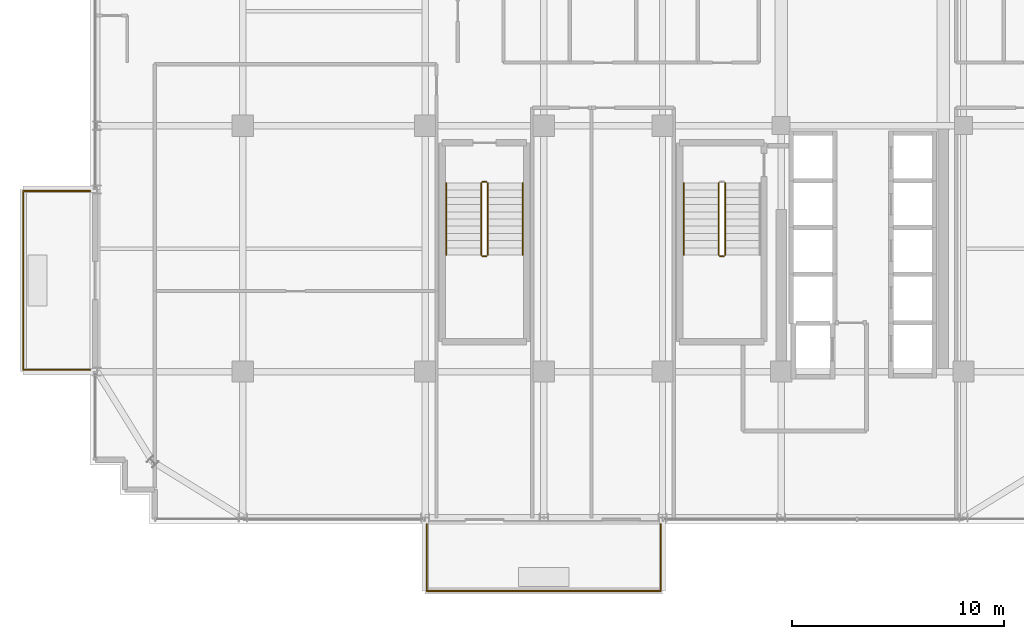
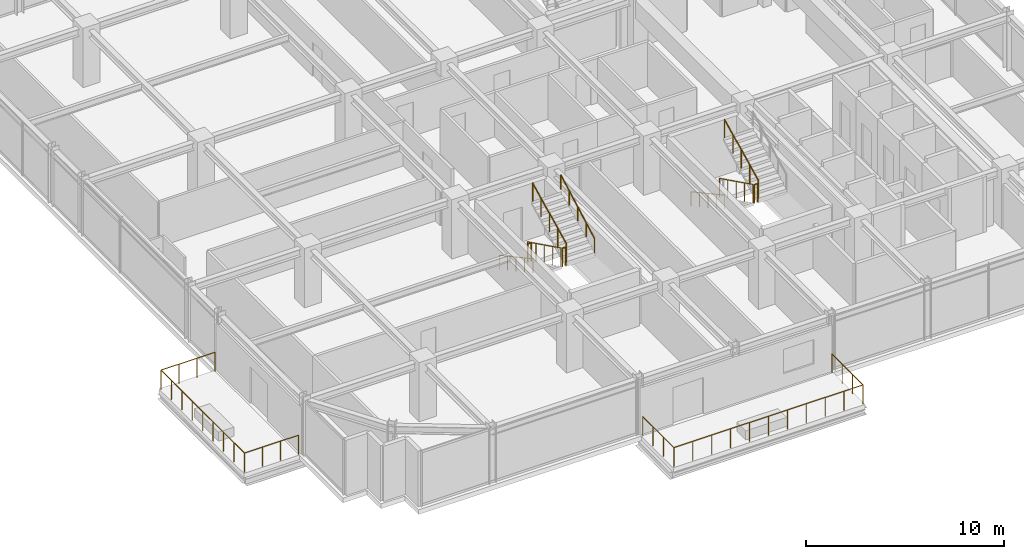
# One storey, part 30 of 32: 12 railings.
"""IFC4 building model written with IfcOpenShell, lengths in metres."""

from ifc_helpers import new_model, si_unit, direction, frame, origin, origin_2d, place, context, subcontext, project, spatial, circle, extrude, material, type_object, element, save


model = new_model("IFC4")

# Units and contexts
model_context = context("Model", 3, precision=1e-05, world=origin(), true_north=direction((0.0, 1.0)))
body_context = subcontext(model_context, "Body", "Model", "MODEL_VIEW")
ifc_project = project(units=[si_unit("LENGTHUNIT", "METRE"), si_unit("AREAUNIT", "SQUARE_METRE"), si_unit("VOLUMEUNIT", "CUBIC_METRE"), si_unit("PLANEANGLEUNIT", "RADIAN"), si_unit("MASSUNIT", "GRAM", prefix="KILO")], contexts=[model_context])

# Site, building, storey
site_placement = place(None, origin())
site = spatial("IfcSite", under=ifc_project, at=site_placement, CompositionType="ELEMENT")
building_placement = place(site_placement, origin())
building = spatial("IfcBuilding", under=site, at=building_placement, Name="Nahalor Promenade Grand Hotel", CompositionType="ELEMENT")
storey_placement = place(building_placement, frame((0.0, 0.0, 230.800048828125)))
storey = spatial("IfcBuildingStorey", under=building, at=storey_placement, Name="L59", CompositionType="ELEMENT", Elevation=230.800048828125)

# Railings
ifc_material_1 = material(Name="Anodised Bronze Aluminium EN AW-6063 T6", Category="aluminium")
railing_type_1 = type_object("IfcRailingType", Name="Bronze Balcony Guardrail 1200 mm", PredefinedType="GUARDRAIL", material=ifc_material_1)
railing_1_placement = place(storey_placement, frame((-8.320068359375, -24.199951171875, 0.0)))
element("IfcRailing", 1, at=railing_1_placement, inside=storey, type_object=railing_type_1, Name="L59 Balcony Guardrail 1", PredefinedType="GUARDRAIL", context=body_context, shape_type="SweptSolid", body=[
    extrude(circle(Radius=0.024048, at=origin_2d()), frame((0.0, 0.0, 1.17578125), z_axis=(0.0, -1.0, 0.0), x_axis=(1.0, 0.0, 0.0)), (0.0, 0.0, 1.0), 3.148193359375),
    extrude(circle(Radius=0.024048, at=origin_2d()), frame((0.001953125, -3.150146484375, 1.17578125), z_axis=(1.0, 0.0, 0.0), x_axis=(0.0, 1.0, 0.0)), (0.0, 0.0, 1.0), 11.0361328125),
    extrude(circle(Radius=0.024048, at=origin_2d()), frame((11.0400390625, -3.148193359375, 1.17578125), z_axis=(0.0, 1.0, 0.0), x_axis=(-1.0, 0.0, 0.0)), (0.0, 0.0, 1.0), 3.148193359375),
    extrude(circle(Radius=0.020996, at=origin_2d()), origin(), (0.0, 0.0, 1.0), 1.14990234375),
    extrude(circle(Radius=0.020996, at=origin_2d()), frame((0.0, -1.050048828125, 0.0)), (0.0, 0.0, 1.0), 1.14990234375),
    extrude(circle(Radius=0.020996, at=origin_2d()), frame((0.0, -2.10009765625, 0.0)), (0.0, 0.0, 1.0), 1.14990234375),
    extrude(circle(Radius=0.020996, at=origin_2d()), frame((0.0, -3.150146484375, 0.0)), (0.0, 0.0, 1.0), 1.14990234375),
    extrude(circle(Radius=0.020996, at=origin_2d()), frame((1.10400390625, -3.150146484375, 0.0)), (0.0, 0.0, 1.0), 1.14990234375),
    extrude(circle(Radius=0.020996, at=origin_2d()), frame((2.2080078125, -3.150146484375, 0.0)), (0.0, 0.0, 1.0), 1.14990234375),
    extrude(circle(Radius=0.020996, at=origin_2d()), frame((3.31201171875, -3.150146484375, 0.0)), (0.0, 0.0, 1.0), 1.14990234375),
    extrude(circle(Radius=0.020996, at=origin_2d()), frame((4.416015625, -3.150146484375, 0.0)), (0.0, 0.0, 1.0), 1.14990234375),
    extrude(circle(Radius=0.020996, at=origin_2d()), frame((5.52001953125, -3.150146484375, 0.0)), (0.0, 0.0, 1.0), 1.14990234375),
    extrude(circle(Radius=0.020996, at=origin_2d()), frame((6.6240234375, -3.150146484375, 0.0)), (0.0, 0.0, 1.0), 1.14990234375),
    extrude(circle(Radius=0.020996, at=origin_2d()), frame((7.72802734375, -3.150146484375, 0.0)), (0.0, 0.0, 1.0), 1.14990234375),
    extrude(circle(Radius=0.020996, at=origin_2d()), frame((8.83203125, -3.150146484375, 0.0)), (0.0, 0.0, 1.0), 1.14990234375),
    extrude(circle(Radius=0.020996, at=origin_2d()), frame((9.93603515625, -3.150146484375, 0.0)), (0.0, 0.0, 1.0), 1.14990234375),
    extrude(circle(Radius=0.020996, at=origin_2d()), frame((11.0400390625, -3.150146484375, 0.0)), (0.0, 0.0, 1.0), 1.14990234375),
    extrude(circle(Radius=0.020996, at=origin_2d()), frame((11.0400390625, -2.10009765625, 0.0)), (0.0, 0.0, 1.0), 1.14990234375),
    extrude(circle(Radius=0.020996, at=origin_2d()), frame((11.0400390625, -1.050048828125, 0.0)), (0.0, 0.0, 1.0), 1.14990234375),
    extrude(circle(Radius=0.020996, at=origin_2d()), frame((11.0400390625, 0.0, 0.0)), (0.0, 0.0, 1.0), 1.14990234375),
])
railing_2_placement = place(storey_placement, frame((-24.199951171875, -16.919921875, 0.0)))
element("IfcRailing", 2, at=railing_2_placement, inside=storey, type_object=railing_type_1, Name="L59 Balcony Guardrail 2", PredefinedType="GUARDRAIL", context=body_context, shape_type="SweptSolid", body=[
    extrude(circle(Radius=0.024048, at=origin_2d()), frame((0.0, 0.0, 1.17578125), z_axis=(-1.0, 0.0, 0.0), x_axis=(0.0, -1.0, 0.0)), (0.0, 0.0, 1.0), 3.158203125),
    extrude(circle(Radius=0.024048, at=origin_2d()), frame((-3.16015625, 0.001953125, 1.17578125), z_axis=(0.0, 1.0, 0.0), x_axis=(-1.0, 0.0, 0.0)), (0.0, 0.0, 1.0), 8.43603515625),
    extrude(circle(Radius=0.024048, at=origin_2d()), frame((-3.158203125, 8.43994140625, 1.17578125), z_axis=(1.0, 0.0, 0.0), x_axis=(0.0, 1.0, 0.0)), (0.0, 0.0, 1.0), 3.158203125),
    extrude(circle(Radius=0.020996, at=origin_2d()), origin(), (0.0, 0.0, 1.0), 1.14990234375),
    extrude(circle(Radius=0.020996, at=origin_2d()), frame((-1.053466796875, 0.0, 0.0)), (0.0, 0.0, 1.0), 1.14990234375),
    extrude(circle(Radius=0.020996, at=origin_2d()), frame((-2.106689453125, 0.0, 0.0)), (0.0, 0.0, 1.0), 1.14990234375),
    extrude(circle(Radius=0.020996, at=origin_2d()), frame((-3.16015625, 0.0, 0.0)), (0.0, 0.0, 1.0), 1.14990234375),
    extrude(circle(Radius=0.020996, at=origin_2d()), frame((-3.16015625, 1.054931640625, 0.0)), (0.0, 0.0, 1.0), 1.14990234375),
    extrude(circle(Radius=0.020996, at=origin_2d()), frame((-3.16015625, 2.10986328125, 0.0)), (0.0, 0.0, 1.0), 1.14990234375),
    extrude(circle(Radius=0.020996, at=origin_2d()), frame((-3.16015625, 3.1650390625, 0.0)), (0.0, 0.0, 1.0), 1.14990234375),
    extrude(circle(Radius=0.020996, at=origin_2d()), frame((-3.16015625, 4.219970703125, 0.0)), (0.0, 0.0, 1.0), 1.14990234375),
    extrude(circle(Radius=0.020996, at=origin_2d()), frame((-3.16015625, 5.27490234375, 0.0)), (0.0, 0.0, 1.0), 1.14990234375),
    extrude(circle(Radius=0.020996, at=origin_2d()), frame((-3.16015625, 6.330078125, 0.0)), (0.0, 0.0, 1.0), 1.14990234375),
    extrude(circle(Radius=0.020996, at=origin_2d()), frame((-3.16015625, 7.385009765625, 0.0)), (0.0, 0.0, 1.0), 1.14990234375),
    extrude(circle(Radius=0.020996, at=origin_2d()), frame((-3.16015625, 8.43994140625, 0.0)), (0.0, 0.0, 1.0), 1.14990234375),
    extrude(circle(Radius=0.020996, at=origin_2d()), frame((-2.106689453125, 8.43994140625, 0.0)), (0.0, 0.0, 1.0), 1.14990234375),
    extrude(circle(Radius=0.020996, at=origin_2d()), frame((-1.053466796875, 8.43994140625, 0.0)), (0.0, 0.0, 1.0), 1.14990234375),
    extrude(circle(Radius=0.020996, at=origin_2d()), frame((0.0, 8.43994140625, 0.0)), (0.0, 0.0, 1.0), 1.14990234375),
])
ifc_material_2 = material(Name="Steel S355JR", Category="steel")
railing_type_2 = type_object("IfcRailingType", Name="Steel Stair Guardrail 1150 mm", PredefinedType="GUARDRAIL", material=ifc_material_2)
railing_3_placement = place(storey_placement, frame((5.449951171875, -8.10009765625, 0.168212890625)))
element("IfcRailing", 3, at=railing_3_placement, inside=storey, type_object=railing_type_2, Name="L59 ST2 stair guard 1", PredefinedType="GUARDRAIL", context=body_context, shape_type="SweptSolid", body=[
    extrude(circle(Radius=0.024048, at=origin_2d()), frame((0.0, 0.0, 1.1259765625), z_axis=(0.0, -0.896349809652, 0.44334751464), x_axis=(1.0, 0.0, 0.0)), (0.0, 0.0, 1.0), 3.79296875),
    extrude(circle(Radius=0.020996, at=origin_2d()), origin(), (0.0, 0.0, 1.0), 1.099853515625),
    extrude(circle(Radius=0.020996, at=origin_2d()), frame((0.0, -0.85009765625, 0.42041015625)), (0.0, 0.0, 1.0), 1.099853515625),
    extrude(circle(Radius=0.020996, at=origin_2d()), frame((0.0, -1.699951171875, 0.8408203125)), (0.0, 0.0, 1.0), 1.099853515625),
    extrude(circle(Radius=0.020996, at=origin_2d()), frame((0.0, -2.5498046875, 1.26123046875)), (0.0, 0.0, 1.0), 1.099853515625),
    extrude(circle(Radius=0.020996, at=origin_2d()), frame((0.0, -3.39990234375, 1.681640625)), (0.0, 0.0, 1.0), 1.099853515625),
])
railing_4_placement = place(storey_placement, frame((5.5, -11.550048828125, 1.849853515625)))
element("IfcRailing", 4, at=railing_4_placement, inside=storey, type_object=railing_type_2, Name="L59 ST2 stair guard 2", PredefinedType="GUARDRAIL", context=body_context, shape_type="SweptSolid", body=[
    extrude(circle(Radius=0.024048, at=origin_2d()), frame((0.0, 0.0, 1.1259765625), z_axis=(1.0, 0.0, 0.0), x_axis=(0.0, 1.0, 0.0)), (0.0, 0.0, 1.0), 0.199951171875),
    extrude(circle(Radius=0.020996, at=origin_2d()), origin(), (0.0, 0.0, 1.0), 1.099853515625),
    extrude(circle(Radius=0.020996, at=origin_2d()), frame((0.199951171875, 0.0, 0.0)), (0.0, 0.0, 1.0), 1.099853515625),
])
railing_5_placement = place(storey_placement, frame((5.75, -11.5, 2.01806640625)))
element("IfcRailing", 5, at=railing_5_placement, inside=storey, type_object=railing_type_2, Name="L59 ST2 stair guard 3", PredefinedType="GUARDRAIL", context=body_context, shape_type="SweptSolid", body=[
    extrude(circle(Radius=0.024048, at=origin_2d()), frame((0.0, 0.0, 1.1259765625), z_axis=(0.0, 0.896324230515, 0.443399226197), x_axis=(-1.0, 0.0, 0.0)), (0.0, 0.0, 1.0), 3.793212890625),
    extrude(circle(Radius=0.020996, at=origin_2d()), origin(), (0.0, 0.0, 1.0), 1.099853515625),
    extrude(circle(Radius=0.020996, at=origin_2d()), frame((0.0, 0.85009765625, 0.42041015625)), (0.0, 0.0, 1.0), 1.099853515625),
    extrude(circle(Radius=0.020996, at=origin_2d()), frame((0.0, 1.699951171875, 0.8408203125)), (0.0, 0.0, 1.0), 1.099853515625),
    extrude(circle(Radius=0.020996, at=origin_2d()), frame((0.0, 2.5498046875, 1.261474609375)), (0.0, 0.0, 1.0), 1.099853515625),
    extrude(circle(Radius=0.020996, at=origin_2d()), frame((0.0, 3.39990234375, 1.681884765625)), (0.0, 0.0, 1.0), 1.099853515625),
])
railing_6_placement = place(storey_placement, frame((-5.75, -8.10009765625, 0.168212890625)))
element("IfcRailing", 6, at=railing_6_placement, inside=storey, type_object=railing_type_2, Name="L59 ST3 stair guard 1", PredefinedType="GUARDRAIL", context=body_context, shape_type="SweptSolid", body=[
    extrude(circle(Radius=0.024048, at=origin_2d()), frame((0.0, 0.0, 1.1259765625), z_axis=(0.0, -0.896349809652, 0.44334751464), x_axis=(1.0, 0.0, 0.0)), (0.0, 0.0, 1.0), 3.79296875),
    extrude(circle(Radius=0.020996, at=origin_2d()), origin(), (0.0, 0.0, 1.0), 1.099853515625),
    extrude(circle(Radius=0.020996, at=origin_2d()), frame((0.0, -0.85009765625, 0.42041015625)), (0.0, 0.0, 1.0), 1.099853515625),
    extrude(circle(Radius=0.020996, at=origin_2d()), frame((0.0, -1.699951171875, 0.8408203125)), (0.0, 0.0, 1.0), 1.099853515625),
    extrude(circle(Radius=0.020996, at=origin_2d()), frame((0.0, -2.5498046875, 1.26123046875)), (0.0, 0.0, 1.0), 1.099853515625),
    extrude(circle(Radius=0.020996, at=origin_2d()), frame((0.0, -3.39990234375, 1.681640625)), (0.0, 0.0, 1.0), 1.099853515625),
])
railing_7_placement = place(storey_placement, frame((-5.699951171875, -11.550048828125, 1.849853515625)))
element("IfcRailing", 7, at=railing_7_placement, inside=storey, type_object=railing_type_2, Name="L59 ST3 stair guard 2", PredefinedType="GUARDRAIL", context=body_context, shape_type="SweptSolid", body=[
    extrude(circle(Radius=0.024048, at=origin_2d()), frame((0.0, 0.0, 1.1259765625), z_axis=(1.0, 0.0, 0.0), x_axis=(0.0, 1.0, 0.0)), (0.0, 0.0, 1.0), 0.199951171875),
    extrude(circle(Radius=0.020996, at=origin_2d()), origin(), (0.0, 0.0, 1.0), 1.099853515625),
    extrude(circle(Radius=0.020996, at=origin_2d()), frame((0.199951171875, 0.0, 0.0)), (0.0, 0.0, 1.0), 1.099853515625),
])
railing_8_placement = place(storey_placement, frame((-5.449951171875, -11.5, 2.01806640625)))
element("IfcRailing", 8, at=railing_8_placement, inside=storey, type_object=railing_type_2, Name="L59 ST3 stair guard 3", PredefinedType="GUARDRAIL", context=body_context, shape_type="SweptSolid", body=[
    extrude(circle(Radius=0.024048, at=origin_2d()), frame((0.0, 0.0, 1.1259765625), z_axis=(0.0, 0.896324230515, 0.443399226197), x_axis=(-1.0, 0.0, 0.0)), (0.0, 0.0, 1.0), 3.793212890625),
    extrude(circle(Radius=0.020996, at=origin_2d()), origin(), (0.0, 0.0, 1.0), 1.099853515625),
    extrude(circle(Radius=0.020996, at=origin_2d()), frame((0.0, 0.85009765625, 0.42041015625)), (0.0, 0.0, 1.0), 1.099853515625),
    extrude(circle(Radius=0.020996, at=origin_2d()), frame((0.0, 1.699951171875, 0.8408203125)), (0.0, 0.0, 1.0), 1.099853515625),
    extrude(circle(Radius=0.020996, at=origin_2d()), frame((0.0, 2.5498046875, 1.261474609375)), (0.0, 0.0, 1.0), 1.099853515625),
    extrude(circle(Radius=0.020996, at=origin_2d()), frame((0.0, 3.39990234375, 1.681884765625)), (0.0, 0.0, 1.0), 1.099853515625),
])
railing_9_placement = place(storey_placement, frame((-5.699951171875, -8.050048828125, 0.0)))
element("IfcRailing", 9, at=railing_9_placement, inside=storey, type_object=railing_type_2, Name="L59 ST3 stair guard 4", PredefinedType="GUARDRAIL", context=body_context, shape_type="SweptSolid", body=[
    extrude(circle(Radius=0.024048, at=origin_2d()), frame((0.0, 0.0, 1.1259765625), z_axis=(1.0, 0.0, 0.0), x_axis=(0.0, 1.0, 0.0)), (0.0, 0.0, 1.0), 0.199951171875),
    extrude(circle(Radius=0.020996, at=origin_2d()), origin(), (0.0, 0.0, 1.0), 1.099853515625),
    extrude(circle(Radius=0.020996, at=origin_2d()), frame((0.199951171875, 0.0, 0.0)), (0.0, 0.0, 1.0), 1.099853515625),
])
railing_type_3 = type_object("IfcRailingType", Name="Steel Stair Handrail 900 mm", PredefinedType="HANDRAIL", material=ifc_material_2)
for number, where, name in (
    (10, (3.800048828125, -8.10009765625, 0.168212890625), "L59 ST2 stair handrail 1"),
    (11, (-7.39990234375, -8.10009765625, 0.168212890625), "L59 ST3 stair handrail 1"),
):
    element("IfcRailing", number, at=place(storey_placement, frame(where)), inside=storey, type_object=railing_type_3, Name=name, PredefinedType="HANDRAIL", context=body_context, shape_type="SweptSolid", body=[
        extrude(circle(Radius=0.024048, at=origin_2d()), frame((0.0, 0.0, 0.8759765625), z_axis=(0.0, -0.878398892953, 0.47792822145), x_axis=(1.0, 0.0, 0.0)), (0.0, 0.0, 1.0), 3.87060546875),
        extrude(circle(Radius=0.020996, at=origin_2d()), origin(), (0.0, 0.0, 1.0), 0.849853515625),
        extrude(circle(Radius=0.020996, at=origin_2d()), frame((0.0, -0.85009765625, 0.46240234375)), (0.0, 0.0, 1.0), 0.849853515625),
        extrude(circle(Radius=0.020996, at=origin_2d()), frame((0.0, -1.699951171875, 0.9248046875)), (0.0, 0.0, 1.0), 0.849853515625),
        extrude(circle(Radius=0.020996, at=origin_2d()), frame((0.0, -2.5498046875, 1.387451171875)), (0.0, 0.0, 1.0), 0.849853515625),
        extrude(circle(Radius=0.020996, at=origin_2d()), frame((0.0, -3.39990234375, 1.849853515625)), (0.0, 0.0, 1.0), 0.849853515625),
    ])
railing_10_placement = place(storey_placement, frame((-3.800048828125, -11.5, 2.01806640625)))
element("IfcRailing", 12, at=railing_10_placement, inside=storey, type_object=railing_type_3, Name="L59 ST3 stair handrail 2", PredefinedType="HANDRAIL", context=body_context, shape_type="SweptSolid", body=[
    extrude(circle(Radius=0.024048, at=origin_2d()), frame((0.0, 0.0, 0.8759765625), z_axis=(0.0, 0.87837241229, 0.47797688786), x_axis=(-1.0, 0.0, 0.0)), (0.0, 0.0, 1.0), 3.87060546875),
    extrude(circle(Radius=0.020996, at=origin_2d()), origin(), (0.0, 0.0, 1.0), 0.849853515625),
    extrude(circle(Radius=0.020996, at=origin_2d()), frame((0.0, 0.85009765625, 0.46240234375)), (0.0, 0.0, 1.0), 0.849853515625),
    extrude(circle(Radius=0.020996, at=origin_2d()), frame((0.0, 1.699951171875, 0.925048828125)), (0.0, 0.0, 1.0), 0.849853515625),
    extrude(circle(Radius=0.020996, at=origin_2d()), frame((0.0, 2.5498046875, 1.3876953125)), (0.0, 0.0, 1.0), 0.849853515625),
    extrude(circle(Radius=0.020996, at=origin_2d()), frame((0.0, 3.39990234375, 1.85009765625)), (0.0, 0.0, 1.0), 0.849853515625),
])

save(model, "model.ifc")
